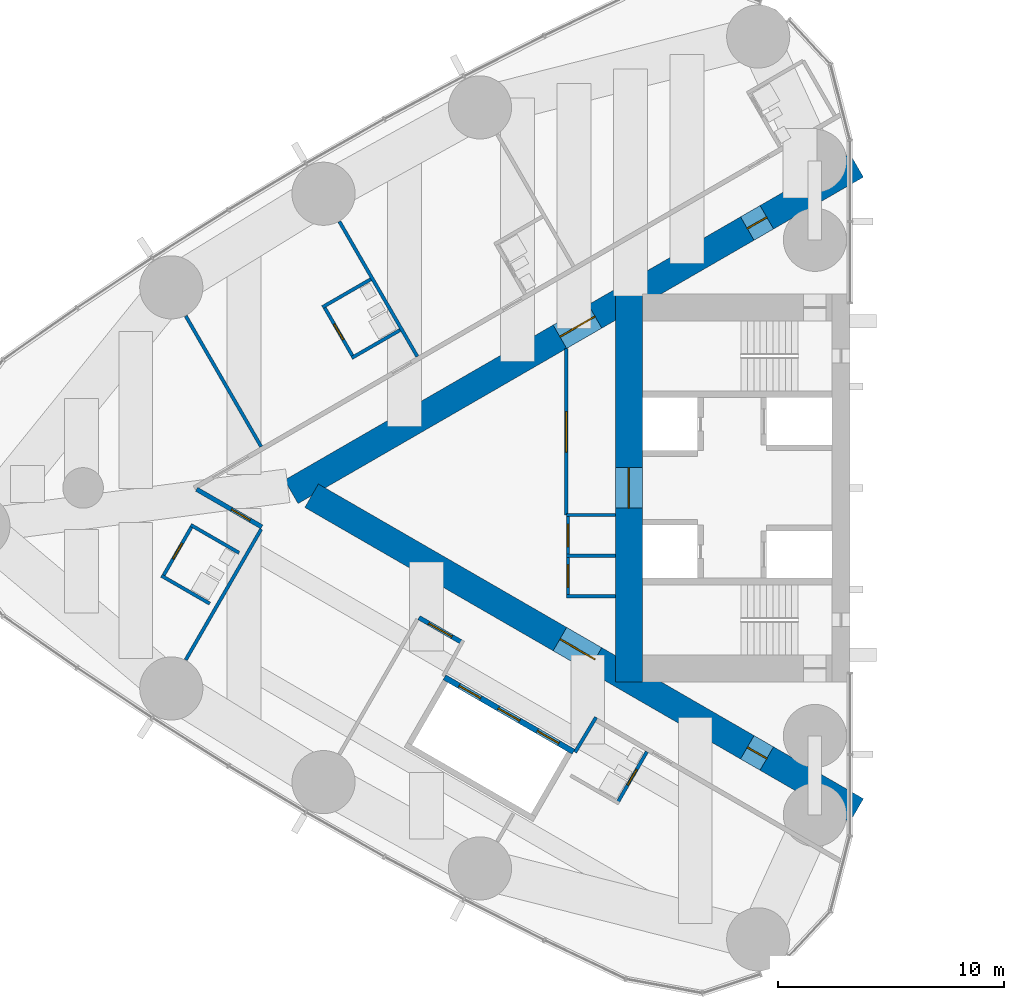
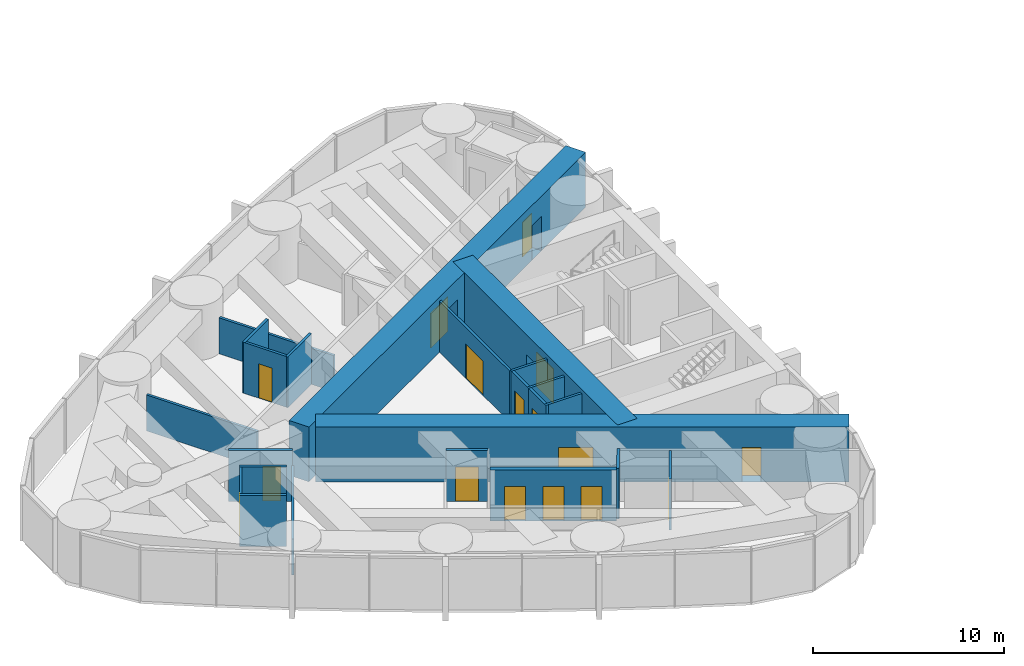
# One storey, part 12 of 19: 23 walls, 16 doors, 16 openings.
"""IFC4 building model written with IfcOpenShell, lengths in metres."""

import ifcopenshell
import ifcopenshell.guid

model = None  # the IFC model being written
_history = None  # IfcOwnerHistory: only IFC2X3 demands one
_inside = {}  # id of a spatial element -> (the spatial element, [elements in it])
_under = {}  # id of a project, library or spatial element -> (it, [spatial elements below it])
_declared = {}  # id of a project -> (the project, [libraries it declares])
_typed = {}  # id of a type object -> (the type object, [elements of that type])
_made_of = {}  # id of a material, layer set ... -> (it, [elements and type objects made of it])


def new_model(schema):
    """Start an empty IFC model of exactly this schema.

    Asked for "IFC4X3", IfcOpenShell would pick the latest addendum, in which some entities
    have other attributes; the version numbers below select the first issue.
    IFC2X3 requires an IfcOwnerHistory on every rooted entity: one is made here for all.
    """
    global model, _history
    if schema == "IFC4X3":
        model = ifcopenshell.file(schema_version=(4, 3, 0, 0))
    else:
        model = ifcopenshell.file(schema=schema)
    _inside.clear()
    _under.clear()
    _declared.clear()
    _typed.clear()
    _made_of.clear()
    _history = None
    if model.schema == "IFC2X3":
        org = make("IfcOrganization", Name="unknown")
        user = make(
            "IfcPersonAndOrganization",
            ThePerson=make("IfcPerson", FamilyName="unknown"),
            TheOrganization=org,
        )
        app = make(
            "IfcApplication",
            ApplicationDeveloper=org,
            Version="unknown",
            ApplicationFullName="unknown",
            ApplicationIdentifier="unknown",
        )
        _history = make(
            "IfcOwnerHistory",
            OwningUser=user,
            OwningApplication=app,
            ChangeAction="ADDED",
            CreationDate=0,
        )
    return model


def make(cls, **values):
    """One entity of the class cls with the attributes given. An attribute that is None is left unset."""
    return model.create_entity(
        cls, **{name: value for name, value in values.items() if value is not None}
    )


def rooted(cls, **values):
    """An entity with a GlobalId (a new one), such as an element, a storey or a relation."""
    return make(cls, GlobalId=ifcopenshell.guid.new(), OwnerHistory=_history, **values)


def si_unit(unit_type, name, prefix=None):
    """IfcSIUnit, for example si_unit("LENGTHUNIT", "METRE", prefix="MILLI")."""
    return make("IfcSIUnit", UnitType=unit_type, Prefix=prefix, Name=name)


def assignment(units):
    """IfcUnitAssignment: the units of a project."""
    return None if units is None else make("IfcUnitAssignment", Units=units)


def point(xyz):
    """IfcCartesianPoint."""
    return None if xyz is None else make("IfcCartesianPoint", Coordinates=xyz)


def direction(xyz):
    """IfcDirection."""
    return None if xyz is None else make("IfcDirection", DirectionRatios=xyz)


def frame(location, z_axis=None, x_axis=None):
    """IfcAxis2Placement3D, a coordinate frame: its origin and axes. An axis left out is left unset."""
    return make(
        "IfcAxis2Placement3D",
        Location=point(location),
        Axis=direction(z_axis),
        RefDirection=direction(x_axis),
    )


def frame_2d(location, x_axis=None):
    """IfcAxis2Placement2D, a coordinate frame in the plane: its origin and x axis."""
    return make(
        "IfcAxis2Placement2D", Location=point(location), RefDirection=direction(x_axis)
    )


def origin():
    """The frame at (0, 0, 0) with its axes left unset."""
    return frame((0.0, 0.0, 0.0))


def place(relative_to, where):
    """IfcLocalPlacement: puts the frame where relative to a parent placement (None: the world)."""
    return make(
        "IfcLocalPlacement", PlacementRelTo=relative_to, RelativePlacement=where
    )


def context(
    kind, dimensions, precision=None, world=None, true_north=None, identifier=None
):
    """IfcGeometricRepresentationContext, for example the 3D "Model" context."""
    return make(
        "IfcGeometricRepresentationContext",
        ContextIdentifier=identifier,
        ContextType=kind,
        CoordinateSpaceDimension=dimensions,
        Precision=precision,
        WorldCoordinateSystem=world,
        TrueNorth=true_north,
    )


def subcontext(parent, identifier, kind, view, scale=None):
    """IfcGeometricRepresentationSubContext, for example "Body" below "Model"."""
    return make(
        "IfcGeometricRepresentationSubContext",
        ContextIdentifier=identifier,
        ContextType=kind,
        ParentContext=parent,
        TargetScale=scale,
        TargetView=view,
    )


def project(units=None, contexts=None):
    """IfcProject with its units and contexts."""
    return rooted(
        "IfcProject",
        Name="project",
        RepresentationContexts=contexts,
        UnitsInContext=assignment(units),
    )


def spatial(cls, under=None, at=None, **own):
    """A site, building, storey or space (cls), placed at a placement, below another one or the project."""
    s = rooted(cls, ObjectPlacement=at, **own)
    if under is not None:
        _under.setdefault(under.id(), (under, []))[1].append(s)
    return s


def profile(cls, at=None, kind="AREA", **sizes):
    """A parametric profile (cls). Its sizes go by their IFC names, for example OverallWidth=200.0."""
    return make(cls, ProfileType=kind, Position=at, **sizes)


def rectangle(**sizes):
    """IfcRectangleProfileDef."""
    return profile("IfcRectangleProfileDef", **sizes)


def extrude(swept, where, along, depth):
    """IfcExtrudedAreaSolid: the profile swept, set in the frame where, extruded along a direction by depth."""
    return make(
        "IfcExtrudedAreaSolid",
        SweptArea=swept,
        Position=where,
        ExtrudedDirection=direction(along),
        Depth=depth,
    )


def shape(context_of_items, identifier, shape_type, items):
    """IfcShapeRepresentation: the items that make up one representation, for example the "Body"."""
    return make(
        "IfcShapeRepresentation",
        ContextOfItems=context_of_items,
        RepresentationIdentifier=identifier,
        RepresentationType=shape_type,
        Items=items,
    )


def material(Name=None, Category=None):
    """IfcMaterial."""
    return make("IfcMaterial", Name=Name, Category=Category)


def layer(
    of_material, thickness, ventilated=None, Name=None, Category=None, Priority=None
):
    """IfcMaterialLayer: one layer of a wall or slab, of a material (None: an air gap)."""
    return make(
        "IfcMaterialLayer",
        Material=of_material,
        LayerThickness=thickness,
        IsVentilated=ventilated,
        Name=Name,
        Category=Category,
        Priority=Priority,
    )


def layer_set(layers, Name=None):
    """IfcMaterialLayerSet."""
    return make("IfcMaterialLayerSet", MaterialLayers=layers, LayerSetName=Name)


def made_of(thing, what):
    """Note that an element or type object is made of a material, layer set ...; save() writes the relation."""
    if what is not None:
        _made_of.setdefault(what.id(), (what, []))[1].append(thing)
    return thing


def type_object(cls, material=None, **own):
    """A type object (cls), such as IfcWallType, which elements share."""
    return made_of(rooted(cls, **own), material)


def element(
    cls,
    number,
    at=None,
    inside=None,
    cuts=None,
    type_object=None,
    material=None,
    context=None,
    identifier="Body",
    shape_type=None,
    held_by="IfcProductDefinitionShape",
    body=None,
    shapes=None,
    **own,
):
    """One element of the class cls, such as IfcWall. Its Tag is "e" and its number.

    at: its placement. inside: the storey or other place that contains it. cuts: it is an
    opening in that element (IfcRelVoidsElement). A single representation is given by context,
    identifier, shape_type and body (its items); several are given by shapes. held_by: the class
    of the entity that holds the representations. save() writes the other relations.
    """
    e = rooted(cls, Tag="e%d" % number, ObjectPlacement=at, **own)
    if body is not None:
        shapes = [shape(context, identifier, shape_type, body)]
    if shapes is not None:
        e.Representation = make(held_by, Representations=shapes)
    if inside is not None:
        _inside.setdefault(inside.id(), (inside, []))[1].append(e)
    if cuts is not None:
        rooted(
            "IfcRelVoidsElement", RelatingBuildingElement=cuts, RelatedOpeningElement=e
        )
    if type_object is not None:
        _typed.setdefault(type_object.id(), (type_object, []))[1].append(e)
    return made_of(e, material)


def fill(opening, filler):
    """IfcRelFillsElement: the door or window that sits in an opening."""
    return rooted(
        "IfcRelFillsElement",
        RelatingOpeningElement=opening,
        RelatedBuildingElement=filler,
    )


def aggregate(whole, parts):
    """IfcRelAggregates: a whole, such as a stair, and the parts it consists of."""
    return rooted("IfcRelAggregates", RelatingObject=whole, RelatedObjects=parts)


def save(model, path):
    """Write the relations noted so far, then the file.

    IfcRelAggregates (storeys below a building ...), IfcRelContainedInSpatialStructure (elements
    in a storey), IfcRelDefinesByType, IfcRelAssociatesMaterial and IfcRelDeclares: one each for
    every whole, place, type object, material and project.
    """
    for whole, parts in _under.values():
        aggregate(whole, parts)
    for where, things in _inside.values():
        rooted(
            "IfcRelContainedInSpatialStructure",
            RelatedElements=things,
            RelatingStructure=where,
        )
    for kind, things in _typed.values():
        rooted("IfcRelDefinesByType", RelatedObjects=things, RelatingType=kind)
    for what, things in _made_of.values():
        rooted("IfcRelAssociatesMaterial", RelatedObjects=things, RelatingMaterial=what)
    for by, libraries in _declared.values():
        rooted("IfcRelDeclares", RelatingContext=by, RelatedDefinitions=libraries)
    model.write(path)


model = new_model("IFC4")

# Units and contexts
model_context = context("Model", 3, precision=1e-05, world=origin(), true_north=direction((0.0, 1.0)))
body_context = subcontext(model_context, "Body", "Model", "MODEL_VIEW")
ifc_project = project(units=[si_unit("LENGTHUNIT", "METRE"), si_unit("AREAUNIT", "SQUARE_METRE"), si_unit("VOLUMEUNIT", "CUBIC_METRE"), si_unit("PLANEANGLEUNIT", "RADIAN"), si_unit("MASSUNIT", "GRAM", prefix="KILO")], contexts=[model_context])

# Site, building, storey
site_placement = place(None, origin())
site = spatial("IfcSite", under=ifc_project, at=site_placement, CompositionType="ELEMENT")
building_placement = place(site_placement, origin())
building = spatial("IfcBuilding", under=site, at=building_placement, Name="Lancet Gate Hotel", CompositionType="ELEMENT")
storey_placement = place(building_placement, frame((0.0, 0.0, 194.800048828125)))
storey = spatial("IfcBuildingStorey", under=building, at=storey_placement, Name="L52", CompositionType="ELEMENT", Elevation=194.800048828125)

# Wall
ifc_material_1 = material(Name="Moisture resistant board partition")
ifc_layer_1 = layer(ifc_material_1, 0.14990234375)
ifc_layer_set_1 = layer_set([ifc_layer_1], Name="Bathroom wall 150")
wall_type_1 = type_object("IfcWallType", Name="Bathroom wall 150", PredefinedType="PARTITIONING", material=ifc_layer_set_1)
wall_1_placement = place(storey_placement, frame((-48.743896484375, 9.251708984375, 0.0), z_axis=(0.0, 0.0, 1.0), x_axis=(-0.866006523861, -0.500032699561, 0.0)))
element("IfcWall", 1, at=wall_1_placement, inside=storey, type_object=wall_type_1, Name="T1 bathroom wall 150 L52", PredefinedType="PARTITIONING", context=body_context, shape_type="SweptSolid", body=[
    extrude(rectangle(XDim=2.474853515625, YDim=0.14990234375, at=frame_2d((1.2373046875, 0.0))), origin(), (0.0, 0.0, 1.0), 3.25),
])

# Wall, opening, door
wall_2_placement = place(storey_placement, frame((-49.522216796875, 5.800048828125, 0.0), z_axis=(0.0, 0.0, 1.0), x_axis=(-0.500006934395, 0.866021400173, 0.0)))
wall_2 = element("IfcWall", 2, at=wall_2_placement, inside=storey, type_object=wall_type_1, Name="T1 bathroom wall 150 L52", PredefinedType="PARTITIONING", context=body_context, shape_type="SweptSolid", body=[
    extrude(rectangle(XDim=2.60009765625, YDim=0.14990234375, at=frame_2d((1.300048828125, 0.0))), origin(), (0.0, 0.0, 1.0), 3.25),
])
opening_1_placement = place(wall_2_placement, frame((0.89990234375, 0.0, 0.0)))
opening_1 = element("IfcOpeningElement", 3, at=opening_1_placement, cuts=wall_2, Name="Opening 5203-B", PredefinedType="OPENING", context=body_context, shape_type="SweptSolid", body=[
    extrude(rectangle(XDim=0.800048828125, YDim=2.199951171875, at=frame_2d((0.39990234375, 1.10009765625))), frame((0.0, 0.0849609375, 0.0), z_axis=(0.0, -1.0, 0.0), x_axis=(1.0, 0.0, 0.0)), (0.0, 0.0, 1.0), 0.169921875),
])
ifc_material_2 = material(Name="Timber door set", Category="wood")
door_type_1 = type_object("IfcDoorType", Name="Bathroom door 800", OperationType="SINGLE_SWING_RIGHT", PredefinedType="DOOR", material=ifc_material_2)
door_1_placement = place(opening_1_placement, origin())
door_1 = element("IfcDoor", 4, at=door_1_placement, inside=storey, type_object=door_type_1, Name="5203-B", OperationType="SINGLE_SWING_RIGHT", OverallHeight=2.199951171875, OverallWidth=0.800048828125, PredefinedType="DOOR", context=body_context, shape_type="SweptSolid", body=[
    extrude(rectangle(XDim=0.800048828125, YDim=2.199951171875, at=frame_2d((0.39990234375, 1.10009765625))), frame((0.0, 0.02490234375, 0.0), z_axis=(0.0, -1.0, 0.0), x_axis=(1.0, 0.0, 0.0)), (0.0, 0.0, 1.0), 0.050048828125),
])
fill(opening_1, door_1)

# Walls
for number, where, z_axis, x_axis, name in (
    (5, (-47.44384765625, 7.0, 0.0), (0.0, 0.0, 1.0), (-0.866006523861, -0.500032699561, 0.0), "T1 bathroom wall 150 L52"),
    (6, (-55.883544921875, -5.129638671875, 0.0), (0.0, 0.0, 1.0), (-0.866006523861, 0.500032699561, 0.0), "T1 bathroom wall 150 L52"),
):
    element("IfcWall", number, at=place(storey_placement, frame(where, z_axis=z_axis, x_axis=x_axis)), inside=storey, type_object=wall_type_1, Name=name, PredefinedType="PARTITIONING", context=body_context, shape_type="SweptSolid", body=[
        extrude(rectangle(XDim=2.474853515625, YDim=0.14990234375, at=frame_2d((1.2373046875, 0.0))), origin(), (0.0, 0.0, 1.0), 3.25),
    ])

# Wall, opening, door
wall_3_placement = place(storey_placement, frame((-56.661865234375, -1.677978515625, 0.0), z_axis=(0.0, 0.0, 1.0), x_axis=(-0.500006934395, -0.866021400173, 0.0)))
wall_3 = element("IfcWall", 7, at=wall_3_placement, inside=storey, type_object=wall_type_1, Name="T1 bathroom wall 150 L52", PredefinedType="PARTITIONING", context=body_context, shape_type="SweptSolid", body=[
    extrude(rectangle(XDim=2.60009765625, YDim=0.14990234375, at=frame_2d((1.300048828125, 0.0))), origin(), (0.0, 0.0, 1.0), 3.25),
])
opening_2_placement = place(wall_3_placement, frame((0.89990234375, 0.0, 0.0)))
opening_2 = element("IfcOpeningElement", 8, at=opening_2_placement, cuts=wall_3, Name="Opening 5205-B", PredefinedType="OPENING", context=body_context, shape_type="SweptSolid", body=[
    extrude(rectangle(XDim=0.800048828125, YDim=2.199951171875, at=frame_2d((0.39990234375, 1.10009765625))), frame((0.0, 0.0849609375, 0.0), z_axis=(0.0, -1.0, 0.0), x_axis=(1.0, 0.0, 0.0)), (0.0, 0.0, 1.0), 0.169921875),
])
door_2_placement = place(opening_2_placement, origin())
door_2 = element("IfcDoor", 9, at=door_2_placement, inside=storey, type_object=door_type_1, Name="5205-B", OperationType="SINGLE_SWING_RIGHT", OverallHeight=2.199951171875, OverallWidth=0.800048828125, PredefinedType="DOOR", context=body_context, shape_type="SweptSolid", body=[
    extrude(rectangle(XDim=0.800048828125, YDim=2.199951171875, at=frame_2d((0.39990234375, 1.10009765625))), frame((0.0, 0.02490234375, 0.0), z_axis=(0.0, -1.0, 0.0), x_axis=(1.0, 0.0, 0.0)), (0.0, 0.0, 1.0), 0.050048828125),
])
fill(opening_2, door_2)

# Wall
wall_4_placement = place(storey_placement, frame((-54.58349609375, -2.8779296875, 0.0), z_axis=(0.0, 0.0, 1.0), x_axis=(-0.866006523861, 0.500032699561, 0.0)))
element("IfcWall", 10, at=wall_4_placement, inside=storey, type_object=wall_type_1, Name="T1 bathroom wall 150 L52", PredefinedType="PARTITIONING", context=body_context, shape_type="SweptSolid", body=[
    extrude(rectangle(XDim=2.474853515625, YDim=0.14990234375, at=frame_2d((1.2373046875, 0.0))), origin(), (0.0, 0.0, 1.0), 3.25),
])

# Wall, opening, door
wall_5_placement = place(storey_placement, frame((-36.5029296875, -11.7001953125, 0.0), z_axis=(0.0, 0.0, 1.0), x_axis=(-0.500006934395, -0.866021400173, 0.0)))
wall_5 = element("IfcWall", 11, at=wall_5_placement, inside=storey, type_object=wall_type_1, Name="T1 bathroom wall 150 L52", PredefinedType="PARTITIONING", context=body_context, shape_type="SweptSolid", body=[
    extrude(rectangle(XDim=2.60009765625, YDim=0.14990234375, at=frame_2d((1.300048828125, 0.0))), origin(), (0.0, 0.0, 1.0), 3.25),
])
opening_3_placement = place(wall_5_placement, frame((0.89990234375, 0.0, 0.0)))
opening_3 = element("IfcOpeningElement", 12, at=opening_3_placement, cuts=wall_5, Name="Opening 5208-B", PredefinedType="OPENING", context=body_context, shape_type="SweptSolid", body=[
    extrude(rectangle(XDim=0.800048828125, YDim=2.199951171875, at=frame_2d((0.39990234375, 1.10009765625))), frame((0.0, 0.0849609375, 0.0), z_axis=(0.0, -1.0, 0.0), x_axis=(1.0, 0.0, 0.0)), (0.0, 0.0, 1.0), 0.169921875),
])
door_3_placement = place(opening_3_placement, origin())
door_3 = element("IfcDoor", 13, at=door_3_placement, inside=storey, type_object=door_type_1, Name="5208-B", OperationType="SINGLE_SWING_RIGHT", OverallHeight=2.199951171875, OverallWidth=0.800048828125, PredefinedType="DOOR", context=body_context, shape_type="SweptSolid", body=[
    extrude(rectangle(XDim=0.800048828125, YDim=2.199951171875, at=frame_2d((0.39990234375, 1.10009765625))), frame((0.0, 0.02490234375, 0.0), z_axis=(0.0, -1.0, 0.0), x_axis=(1.0, 0.0, 0.0)), (0.0, 0.0, 1.0), 0.050048828125),
])
fill(opening_3, door_3)

# Wall, openings, doors
ifc_material_3 = material(Name="Concrete C70/85", Category="concrete")
ifc_layer_2 = layer(ifc_material_3, 1.199951171875)
ifc_layer_set_2 = layer_set([ifc_layer_2], Name="Buttress wall 1200")
wall_type_2 = type_object("IfcWallType", Name="Buttress wall 1200", PredefinedType="SHEAR", material=ifc_layer_set_2)
wall_6_placement = place(storey_placement, frame((-27.199951171875, 14.300048828125, 0.0), z_axis=(0.0, 0.0, 1.0), x_axis=(-0.866026593062, -0.499997940104, 0.0)))
wall_6 = element("IfcWall", 14, at=wall_6_placement, inside=storey, type_object=wall_type_2, Name="T1 buttress wall S L52", PredefinedType="SHEAR", context=body_context, shape_type="SweptSolid", body=[
    extrude(rectangle(XDim=28.9462890625, YDim=1.199951171875, at=frame_2d((14.47314453125, 0.0))), origin(), (0.0, 0.0, 1.0), 3.5),
])
opening_4_placement = place(wall_6_placement, frame((4.60009765625, 0.0, 0.0)))
opening_4 = element("IfcOpeningElement", 15, at=opening_4_placement, cuts=wall_6, Name="Opening T1-L52-LS", PredefinedType="OPENING", context=body_context, shape_type="SweptSolid", body=[
    extrude(rectangle(XDim=1.0, YDim=2.199951171875, at=frame_2d((0.5, 1.10009765625))), frame((0.0, 0.60986328125, 0.0), z_axis=(0.0, -1.0, 0.0), x_axis=(1.0, 0.0, 0.0)), (0.0, 0.0, 1.0), 1.219970703125),
])
opening_5_placement = place(wall_6_placement, frame((13.39453125, 0.0, 0.0)))
opening_5 = element("IfcOpeningElement", 16, at=opening_5_placement, cuts=wall_6, Name="Opening T1-L52-LHS", PredefinedType="OPENING", context=body_context, shape_type="SweptSolid", body=[
    extrude(rectangle(XDim=1.800048828125, YDim=2.199951171875, at=frame_2d((0.89990234375, 1.10009765625))), frame((0.0, 0.60986328125, 0.0), z_axis=(0.0, -1.0, 0.0), x_axis=(1.0, 0.0, 0.0)), (0.0, 0.0, 1.0), 1.219970703125),
])
ifc_material_4 = material(Name="Timber door set", Category="wood")
door_type_2 = type_object("IfcDoorType", Name="Lobby double door 1800", OperationType="DOUBLE_DOOR_SINGLE_SWING", PredefinedType="DOOR", material=ifc_material_4)
door_4_placement = place(opening_5_placement, origin())
door_4 = element("IfcDoor", 17, at=door_4_placement, inside=storey, type_object=door_type_2, Name="T1-L52-LHS", OperationType="DOUBLE_DOOR_SINGLE_SWING", OverallHeight=2.199951171875, OverallWidth=1.800048828125, PredefinedType="DOOR", context=body_context, shape_type="SweptSolid", body=[
    extrude(rectangle(XDim=1.800048828125, YDim=2.199951171875, at=frame_2d((0.89990234375, 1.10009765625))), frame((0.0, 0.02490234375, 0.0), z_axis=(0.0, -1.0, 0.0), x_axis=(1.0, 0.0, 0.0)), (0.0, 0.0, 1.0), 0.050048828125),
])
fill(opening_5, door_4)
ifc_material_5 = material(Name="Timber door set", Category="wood")
door_type_3 = type_object("IfcDoorType", Name="Stair lobby door 1000", OperationType="SINGLE_SWING_LEFT", PredefinedType="DOOR", material=ifc_material_5)
door_5_placement = place(opening_4_placement, origin())
door_5 = element("IfcDoor", 18, at=door_5_placement, inside=storey, type_object=door_type_3, Name="T1-L52-LS", OperationType="SINGLE_SWING_LEFT", OverallHeight=2.199951171875, OverallWidth=1.0, PredefinedType="DOOR", context=body_context, shape_type="SweptSolid", body=[
    extrude(rectangle(XDim=1.0, YDim=2.199951171875, at=frame_2d((0.5, 1.10009765625))), frame((0.0, 0.02490234375, 0.0), z_axis=(0.0, -1.0, 0.0), x_axis=(1.0, 0.0, 0.0)), (0.0, 0.0, 1.0), 0.050048828125),
])
fill(opening_4, door_5)

wall_7_placement = place(storey_placement, frame((-27.199951171875, -14.300048828125, 0.0), z_axis=(0.0, 0.0, 1.0), x_axis=(-0.866024021859, 0.500002393557, 0.0)))
wall_7 = element("IfcWall", 19, at=wall_7_placement, inside=storey, type_object=wall_type_2, Name="T1 buttress wall N L52", PredefinedType="SHEAR", context=body_context, shape_type="SweptSolid", body=[
    extrude(rectangle(XDim=27.906982421875, YDim=1.199951171875, at=frame_2d((13.95361328125, 0.0))), origin(), (0.0, 0.0, 1.0), 3.5),
])
opening_6_placement = place(wall_7_placement, frame((4.60009765625, 0.0, 0.0)))
opening_6 = element("IfcOpeningElement", 20, at=opening_6_placement, cuts=wall_7, Name="Opening T1-L52-LN", PredefinedType="OPENING", context=body_context, shape_type="SweptSolid", body=[
    extrude(rectangle(XDim=1.0, YDim=2.199951171875, at=frame_2d((0.5, 1.10009765625))), frame((0.0, 0.60986328125, 0.0), z_axis=(0.0, -1.0, 0.0), x_axis=(1.0, 0.0, 0.0)), (0.0, 0.0, 1.0), 1.219970703125),
])
opening_7_placement = place(wall_7_placement, frame((13.39453125, 0.0, 0.0)))
opening_7 = element("IfcOpeningElement", 21, at=opening_7_placement, cuts=wall_7, Name="Opening T1-L52-LHN", PredefinedType="OPENING", context=body_context, shape_type="SweptSolid", body=[
    extrude(rectangle(XDim=1.800048828125, YDim=2.199951171875, at=frame_2d((0.89990234375, 1.10009765625))), frame((0.0, 0.60986328125, 0.0), z_axis=(0.0, -1.0, 0.0), x_axis=(1.0, 0.0, 0.0)), (0.0, 0.0, 1.0), 1.219970703125),
])
door_6_placement = place(opening_7_placement, origin())
door_6 = element("IfcDoor", 22, at=door_6_placement, inside=storey, type_object=door_type_2, Name="T1-L52-LHN", OperationType="DOUBLE_DOOR_SINGLE_SWING", OverallHeight=2.199951171875, OverallWidth=1.800048828125, PredefinedType="DOOR", context=body_context, shape_type="SweptSolid", body=[
    extrude(rectangle(XDim=1.800048828125, YDim=2.199951171875, at=frame_2d((0.89990234375, 1.10009765625))), frame((0.0, 0.02490234375, 0.0), z_axis=(0.0, -1.0, 0.0), x_axis=(1.0, 0.0, 0.0)), (0.0, 0.0, 1.0), 0.050048828125),
])
fill(opening_7, door_6)
door_7_placement = place(opening_6_placement, origin())
door_7 = element("IfcDoor", 23, at=door_7_placement, inside=storey, type_object=door_type_3, Name="T1-L52-LN", OperationType="SINGLE_SWING_LEFT", OverallHeight=2.199951171875, OverallWidth=1.0, PredefinedType="DOOR", context=body_context, shape_type="SweptSolid", body=[
    extrude(rectangle(XDim=1.0, YDim=2.199951171875, at=frame_2d((0.5, 1.10009765625))), frame((0.0, 0.02490234375, 0.0), z_axis=(0.0, -1.0, 0.0), x_axis=(1.0, 0.0, 0.0)), (0.0, 0.0, 1.0), 0.050048828125),
])
fill(opening_6, door_7)

# Wall, opening, door
ifc_material_6 = material(Name="Concrete C70/85", Category="concrete")
ifc_layer_3 = layer(ifc_material_6, 1.199951171875)
ifc_layer_set_3 = layer_set([ifc_layer_3], Name="Core wall 1200")
wall_type_3 = type_object("IfcWallType", Name="Core wall 1200", PredefinedType="SHEAR", material=ifc_layer_set_3)
wall_8_placement = place(storey_placement, frame((-37.300048828125, 8.60009765625, 0.0), z_axis=(0.0, 0.0, 1.0), x_axis=(0.0, -1.0, 0.0)))
wall_8 = element("IfcWall", 24, at=wall_8_placement, inside=storey, type_object=wall_type_3, Name="T1 core wall back L52", PredefinedType="SHEAR", context=body_context, shape_type="SweptSolid", body=[
    extrude(rectangle(XDim=17.2001953125, YDim=1.199951171875, at=frame_2d((8.60009765625, 0.0))), origin(), (0.0, 0.0, 1.0), 3.5),
])
opening_8_placement = place(wall_8_placement, frame((7.699951171875, 0.0, 0.0)))
opening_8 = element("IfcOpeningElement", 25, at=opening_8_placement, cuts=wall_8, Name="Opening T1-L52-LL", PredefinedType="OPENING", context=body_context, shape_type="SweptSolid", body=[
    extrude(rectangle(XDim=1.800048828125, YDim=2.199951171875, at=frame_2d((0.89990234375, 1.10009765625))), frame((0.0, 0.60986328125, 0.0), z_axis=(0.0, -1.0, 0.0), x_axis=(1.0, 0.0, 0.0)), (0.0, 0.0, 1.0), 1.219970703125),
])
door_8_placement = place(opening_8_placement, origin())
door_8 = element("IfcDoor", 26, at=door_8_placement, inside=storey, type_object=door_type_2, Name="T1-L52-LL", OperationType="DOUBLE_DOOR_SINGLE_SWING", OverallHeight=2.199951171875, OverallWidth=1.800048828125, PredefinedType="DOOR", context=body_context, shape_type="SweptSolid", body=[
    extrude(rectangle(XDim=1.800048828125, YDim=2.199951171875, at=frame_2d((0.89990234375, 1.10009765625))), frame((0.0, 0.02490234375, 0.0), z_axis=(0.0, -1.0, 0.0), x_axis=(1.0, 0.0, 0.0)), (0.0, 0.0, 1.0), 0.050048828125),
])
fill(opening_8, door_8)

ifc_material_7 = material(Name="Gypsum board partition")
ifc_layer_4 = layer(ifc_material_7, 0.199951171875)
ifc_layer_set_4 = layer_set([ifc_layer_4], Name="Corridor wall 200")
wall_type_4 = type_object("IfcWallType", Name="Corridor wall 200", PredefinedType="PARTITIONING", material=ifc_layer_set_4)
wall_9_placement = place(storey_placement, frame((-44.715087890625, -6.843505859375, 0.0), z_axis=(0.0, 0.0, 1.0), x_axis=(-0.865999496279, 0.500044870432, 0.0)))
wall_9 = element("IfcWall", 27, at=wall_9_placement, inside=storey, type_object=wall_type_4, Name="T1 corridor wall 200 L52", PredefinedType="PARTITIONING", context=body_context, shape_type="SweptSolid", body=[
    extrude(rectangle(XDim=2.184814453125, YDim=0.199951171875, at=frame_2d((1.09228515625, 0.0))), origin(), (0.0, 0.0, 1.0), 3.25),
])
opening_9_placement = place(wall_9_placement, frame((0.5, 0.0, 0.0)))
opening_9 = element("IfcOpeningElement", 28, at=opening_9_placement, cuts=wall_9, Name="Opening T1-L52-LO1", PredefinedType="OPENING", context=body_context, shape_type="SweptSolid", body=[
    extrude(rectangle(XDim=1.18505859375, YDim=2.199951171875, at=frame_2d((0.592529296875, 1.10009765625))), frame((0.0, 0.10986328125, 0.0), z_axis=(0.0, -1.0, 0.0), x_axis=(1.0, 0.0, 0.0)), (0.0, 0.0, 1.0), 0.219970703125),
])
ifc_material_8 = material(Name="Timber door set", Category="wood")
door_type_4 = type_object("IfcDoorType", Name="Guest room entry door 950", OperationType="SINGLE_SWING_LEFT", PredefinedType="DOOR", material=ifc_material_8)
door_9_placement = place(opening_9_placement, origin())
door_9 = element("IfcDoor", 29, at=door_9_placement, inside=storey, type_object=door_type_4, Name="T1-L52-LO1", OperationType="SINGLE_SWING_LEFT", OverallHeight=2.199951171875, OverallWidth=1.18505859375, PredefinedType="DOOR", context=body_context, shape_type="SweptSolid", body=[
    extrude(rectangle(XDim=1.18505859375, YDim=2.199951171875, at=frame_2d((0.592529296875, 1.10009765625))), frame((0.0, 0.02490234375, 0.0), z_axis=(0.0, -1.0, 0.0), x_axis=(1.0, 0.0, 0.0)), (0.0, 0.0, 1.0), 0.050048828125),
])
fill(opening_9, door_9)

wall_10_placement = place(storey_placement, frame((-53.57373046875, -1.72900390625, 0.0), z_axis=(0.0, 0.0, 1.0), x_axis=(-0.866019930389, 0.500009480079, 0.0)))
wall_10 = element("IfcWall", 30, at=wall_10_placement, inside=storey, type_object=wall_type_4, Name="T1 corridor wall 200 L52", PredefinedType="PARTITIONING", context=body_context, shape_type="SweptSolid", body=[
    extrude(rectangle(XDim=3.337890625, YDim=0.199951171875, at=frame_2d((1.6689453125, 0.0))), origin(), (0.0, 0.0, 1.0), 3.25),
])
opening_10_placement = place(wall_10_placement, frame((0.60009765625, 0.0, 0.0)))
opening_10 = element("IfcOpeningElement", 31, at=opening_10_placement, cuts=wall_10, Name="Opening 5205-E", PredefinedType="OPENING", context=body_context, shape_type="SweptSolid", body=[
    extrude(rectangle(XDim=0.949951171875, YDim=2.199951171875, at=frame_2d((0.47509765625, 1.10009765625))), frame((0.0, 0.10986328125, 0.0), z_axis=(0.0, -1.0, 0.0), x_axis=(1.0, 0.0, 0.0)), (0.0, 0.0, 1.0), 0.219970703125),
])
door_10_placement = place(opening_10_placement, origin())
door_10 = element("IfcDoor", 32, at=door_10_placement, inside=storey, type_object=door_type_4, Name="5205-E", OperationType="SINGLE_SWING_LEFT", OverallHeight=2.199951171875, OverallWidth=0.949951171875, PredefinedType="DOOR", context=body_context, shape_type="SweptSolid", body=[
    extrude(rectangle(XDim=0.949951171875, YDim=2.199951171875, at=frame_2d((0.47509765625, 1.10009765625))), frame((0.0, 0.02490234375, 0.0), z_axis=(0.0, -1.0, 0.0), x_axis=(1.0, 0.0, 0.0)), (0.0, 0.0, 1.0), 0.050048828125),
])
fill(opening_10, door_10)

# Wall, openings, doors
ifc_material_9 = material(Name="Gypsum board partition")
ifc_layer_5 = layer(ifc_material_9, 0.25)
ifc_layer_set_5 = layer_set([ifc_layer_5], Name="Lift shaft partition 250")
wall_type_5 = type_object("IfcWallType", Name="Lift shaft partition 250", PredefinedType="PARTITIONING", material=ifc_layer_set_5)
wall_11_placement = place(storey_placement, frame((-39.757568359375, -11.697265625, 0.0), z_axis=(0.0, 0.0, 1.0), x_axis=(-0.866024194504, 0.500002094529, 0.0)))
wall_11 = element("IfcWall", 33, at=wall_11_placement, inside=storey, type_object=wall_type_5, Name="T1 lift shaft wall HL L52", PredefinedType="PARTITIONING", context=body_context, shape_type="SweptSolid", body=[
    extrude(rectangle(XDim=6.60009765625, YDim=0.25, at=frame_2d((3.300048828125, 0.0))), origin(), (0.0, 0.0, 1.0), 3.25),
])
opening_11_placement = place(wall_11_placement, frame((0.75, 0.0, 0.0)))
opening_11 = element("IfcOpeningElement", 34, at=opening_11_placement, cuts=wall_11, Name="Opening T1-HL1-L52", PredefinedType="OPENING", context=body_context, shape_type="SweptSolid", body=[
    extrude(rectangle(XDim=1.10009765625, YDim=2.199951171875, at=frame_2d((0.550048828125, 1.10009765625))), frame((0.0, 0.135009765625, 0.0), z_axis=(0.0, -1.0, 0.0), x_axis=(1.0, 0.0, 0.0)), (0.0, 0.0, 1.0), 0.27001953125),
])
opening_12_placement = place(wall_11_placement, frame((2.75, 0.0, 0.0)))
opening_12 = element("IfcOpeningElement", 35, at=opening_12_placement, cuts=wall_11, Name="Opening T1-HL2-L52", PredefinedType="OPENING", context=body_context, shape_type="SweptSolid", body=[
    extrude(rectangle(XDim=1.10009765625, YDim=2.199951171875, at=frame_2d((0.550048828125, 1.10009765625))), frame((0.0, 0.135009765625, 0.0), z_axis=(0.0, -1.0, 0.0), x_axis=(1.0, 0.0, 0.0)), (0.0, 0.0, 1.0), 0.27001953125),
])
opening_13_placement = place(wall_11_placement, frame((4.75, 0.0, 0.0)))
opening_13 = element("IfcOpeningElement", 36, at=opening_13_placement, cuts=wall_11, Name="Opening T1-HL3-L52", PredefinedType="OPENING", context=body_context, shape_type="SweptSolid", body=[
    extrude(rectangle(XDim=1.10009765625, YDim=2.199951171875, at=frame_2d((0.550048828125, 1.10009765625))), frame((0.0, 0.135009765625, 0.0), z_axis=(0.0, -1.0, 0.0), x_axis=(1.0, 0.0, 0.0)), (0.0, 0.0, 1.0), 0.27001953125),
])
ifc_material_10 = material(Name="Steel door set", Category="steel")
door_type_5 = type_object("IfcDoorType", Name="Lift landing door 1100", OperationType="DOUBLE_DOOR_SLIDING", PredefinedType="USERDEFINED", material=ifc_material_10)
door_11_placement = place(opening_11_placement, origin())
door_11 = element("IfcDoor", 37, at=door_11_placement, inside=storey, type_object=door_type_5, Name="T1-HL1-L52", ObjectType="LIFT LANDING DOOR", OperationType="DOUBLE_DOOR_SLIDING", OverallHeight=2.199951171875, OverallWidth=1.10009765625, PredefinedType="USERDEFINED", context=body_context, shape_type="SweptSolid", body=[
    extrude(rectangle(XDim=1.10009765625, YDim=2.199951171875, at=frame_2d((0.550048828125, 1.10009765625))), frame((0.0, 0.02490234375, 0.0), z_axis=(0.0, -1.0, 0.0), x_axis=(1.0, 0.0, 0.0)), (0.0, 0.0, 1.0), 0.050048828125),
])
fill(opening_11, door_11)
door_12_placement = place(opening_12_placement, origin())
door_12 = element("IfcDoor", 38, at=door_12_placement, inside=storey, type_object=door_type_5, Name="T1-HL2-L52", ObjectType="LIFT LANDING DOOR", OperationType="DOUBLE_DOOR_SLIDING", OverallHeight=2.199951171875, OverallWidth=1.10009765625, PredefinedType="USERDEFINED", context=body_context, shape_type="SweptSolid", body=[
    extrude(rectangle(XDim=1.10009765625, YDim=2.199951171875, at=frame_2d((0.550048828125, 1.10009765625))), frame((0.0, 0.02490234375, 0.0), z_axis=(0.0, -1.0, 0.0), x_axis=(1.0, 0.0, 0.0)), (0.0, 0.0, 1.0), 0.050048828125),
])
fill(opening_12, door_12)
door_13_placement = place(opening_13_placement, origin())
door_13 = element("IfcDoor", 39, at=door_13_placement, inside=storey, type_object=door_type_5, Name="T1-HL3-L52", ObjectType="LIFT LANDING DOOR", OperationType="DOUBLE_DOOR_SLIDING", OverallHeight=2.199951171875, OverallWidth=1.10009765625, PredefinedType="USERDEFINED", context=body_context, shape_type="SweptSolid", body=[
    extrude(rectangle(XDim=1.10009765625, YDim=2.199951171875, at=frame_2d((0.550048828125, 1.10009765625))), frame((0.0, 0.02490234375, 0.0), z_axis=(0.0, -1.0, 0.0), x_axis=(1.0, 0.0, 0.0)), (0.0, 0.0, 1.0), 0.050048828125),
])
fill(opening_13, door_13)

# Walls
ifc_material_11 = material(Name="Gypsum board partition")
ifc_layer_6 = layer(ifc_material_11, 0.14990234375)
ifc_layer_set_6 = layer_set([ifc_layer_6], Name="Party wall 150")
wall_type_6 = type_object("IfcWallType", Name="Party wall 150", PredefinedType="PARTITIONING", material=ifc_layer_set_6)
wall_12_placement = place(storey_placement, frame((-46.6787109375, 5.8251953125, 0.0), z_axis=(0.0, 0.0, 1.0), x_axis=(-0.500006839597, 0.866021454905, 0.0)))
element("IfcWall", 40, at=wall_12_placement, inside=storey, type_object=wall_type_6, Name="T1 party wall 150 L52", PredefinedType="PARTITIONING", context=body_context, shape_type="SweptSolid", body=[
    extrude(rectangle(XDim=6.9111328125, YDim=0.14990234375, at=frame_2d((3.45556640625, 0.0))), origin(), (0.0, 0.0, 1.0), 2.300048828125),
])
for number, where, z_axis, x_axis, name in (
    (41, (-53.60205078125, 1.828125, 0.0), (0.0, 0.0, 1.0), (-0.49999191814, 0.866030069798, 0.0), "T1 party wall 150 L52"),
    (42, (-53.60205078125, -1.828125, 0.0), (0.0, 0.0, 1.0), (-0.49999191814, -0.866030069798, 0.0), "T1 party wall 150 L52"),
):
    element("IfcWall", number, at=place(storey_placement, frame(where, z_axis=z_axis, x_axis=x_axis)), inside=storey, type_object=wall_type_6, Name=name, PredefinedType="PARTITIONING", context=body_context, shape_type="SweptSolid", body=[
        extrude(rectangle(XDim=6.6923828125, YDim=0.14990234375, at=frame_2d((3.34619140625, 0.0))), origin(), (0.0, 0.0, 1.0), 2.300048828125),
    ])
ifc_material_12 = material(Name="Gypsum board partition")
ifc_layer_7 = layer(ifc_material_12, 0.14990234375)
ifc_layer_set_7 = layer_set([ifc_layer_7], Name="Service room wall 150")
wall_type_7 = type_object("IfcWallType", Name="Service room wall 150", PredefinedType="PARTITIONING", material=ifc_layer_set_7)
wall_13_placement = place(storey_placement, frame((-39.6826171875, -11.717529296875, 0.0), z_axis=(0.0, 0.0, 1.0), x_axis=(0.514336634837, 0.857588377991, 0.0)))
element("IfcWall", 43, at=wall_13_placement, inside=storey, type_object=wall_type_7, Name="T1 service room wall 150 L52", PredefinedType="PARTITIONING", context=body_context, shape_type="SweptSolid", body=[
    extrude(rectangle(XDim=1.80517578125, YDim=0.14990234375, at=frame_2d((0.902587890625, 0.0))), origin(), (0.0, 0.0, 1.0), 3.25),
])
for number, where, z_axis, x_axis, name in (
    (44, (-37.89990234375, -1.199951171875, 0.0), (0.0, 0.0, 1.0), (-1.0, 0.0, 0.0), "T1 service room wall 150 L52"),
    (45, (-37.89990234375, -3.0, 0.0), (0.0, 0.0, 1.0), (-1.0, 0.0, 0.0), "T1 service room wall 150 L52"),
    (46, (-37.89990234375, -4.800048828125, 0.0), (0.0, 0.0, 1.0), (-1.0, 0.0, 0.0), "T1 service room wall 150 L52"),
):
    element("IfcWall", number, at=place(storey_placement, frame(where, z_axis=z_axis, x_axis=x_axis)), inside=storey, type_object=wall_type_7, Name=name, PredefinedType="PARTITIONING", context=body_context, shape_type="SweptSolid", body=[
        extrude(rectangle(XDim=2.175048828125, YDim=0.14990234375, at=frame_2d((1.08740234375, 0.0))), origin(), (0.0, 0.0, 1.0), 3.25),
    ])

# Wall, opening, door
wall_14_placement = place(storey_placement, frame((-40.0, -1.125, 0.0), z_axis=(0.0, 0.0, 1.0), x_axis=(0.0, -1.0, 0.0)))
wall_14 = element("IfcWall", 47, at=wall_14_placement, inside=storey, type_object=wall_type_7, Name="T1 service room wall 150 L52", PredefinedType="PARTITIONING", context=body_context, shape_type="SweptSolid", body=[
    extrude(rectangle(XDim=1.949951171875, YDim=0.14990234375, at=frame_2d((0.97509765625, 0.0))), origin(), (0.0, 0.0, 1.0), 3.25),
])
opening_14_placement = place(wall_14_placement, frame((0.47509765625, 0.0, 0.0)))
opening_14 = element("IfcOpeningElement", 48, at=opening_14_placement, cuts=wall_14, Name="Opening T1-L52-HRN0", PredefinedType="OPENING", context=body_context, shape_type="SweptSolid", body=[
    extrude(rectangle(XDim=1.0, YDim=2.199951171875, at=frame_2d((0.5, 1.10009765625))), frame((0.0, 0.0849609375, 0.0), z_axis=(0.0, -1.0, 0.0), x_axis=(1.0, 0.0, 0.0)), (0.0, 0.0, 1.0), 0.169921875),
])
ifc_material_13 = material(Name="Timber door set", Category="wood")
door_type_6 = type_object("IfcDoorType", Name="Service door 1000", OperationType="SINGLE_SWING_LEFT", PredefinedType="DOOR", material=ifc_material_13)
door_14_placement = place(opening_14_placement, origin())
door_14 = element("IfcDoor", 49, at=door_14_placement, inside=storey, type_object=door_type_6, Name="T1-L52-HRN0", OperationType="SINGLE_SWING_LEFT", OverallHeight=2.199951171875, OverallWidth=1.0, PredefinedType="DOOR", context=body_context, shape_type="SweptSolid", body=[
    extrude(rectangle(XDim=1.0, YDim=2.199951171875, at=frame_2d((0.5, 1.10009765625))), frame((0.0, 0.02490234375, 0.0), z_axis=(0.0, -1.0, 0.0), x_axis=(1.0, 0.0, 0.0)), (0.0, 0.0, 1.0), 0.050048828125),
])
fill(opening_14, door_14)

wall_15_placement = place(storey_placement, frame((-40.0, -2.925048828125, 0.0), z_axis=(0.0, 0.0, 1.0), x_axis=(0.0, -1.0, 0.0)))
wall_15 = element("IfcWall", 50, at=wall_15_placement, inside=storey, type_object=wall_type_7, Name="T1 service room wall 150 L52", PredefinedType="PARTITIONING", context=body_context, shape_type="SweptSolid", body=[
    extrude(rectangle(XDim=1.949951171875, YDim=0.14990234375, at=frame_2d((0.97509765625, 0.0))), origin(), (0.0, 0.0, 1.0), 3.25),
])
opening_15_placement = place(wall_15_placement, frame((0.47509765625, 0.0, 0.0)))
opening_15 = element("IfcOpeningElement", 51, at=opening_15_placement, cuts=wall_15, Name="Opening T1-L52-HRN1", PredefinedType="OPENING", context=body_context, shape_type="SweptSolid", body=[
    extrude(rectangle(XDim=1.0, YDim=2.199951171875, at=frame_2d((0.5, 1.10009765625))), frame((0.0, 0.0849609375, 0.0), z_axis=(0.0, -1.0, 0.0), x_axis=(1.0, 0.0, 0.0)), (0.0, 0.0, 1.0), 0.169921875),
])
door_15_placement = place(opening_15_placement, origin())
door_15 = element("IfcDoor", 52, at=door_15_placement, inside=storey, type_object=door_type_6, Name="T1-L52-HRN1", OperationType="SINGLE_SWING_LEFT", OverallHeight=2.199951171875, OverallWidth=1.0, PredefinedType="DOOR", context=body_context, shape_type="SweptSolid", body=[
    extrude(rectangle(XDim=1.0, YDim=2.199951171875, at=frame_2d((0.5, 1.10009765625))), frame((0.0, 0.02490234375, 0.0), z_axis=(0.0, -1.0, 0.0), x_axis=(1.0, 0.0, 0.0)), (0.0, 0.0, 1.0), 0.050048828125),
])
fill(opening_15, door_15)

wall_16_placement = place(storey_placement, frame((-40.074951171875, 6.173828125, 0.0), z_axis=(0.0, 0.0, 1.0), x_axis=(0.0, -1.0, 0.0)))
wall_16 = element("IfcWall", 53, at=wall_16_placement, inside=storey, type_object=wall_type_7, Name="T1 service room wall 150 L52", PredefinedType="PARTITIONING", context=body_context, shape_type="SweptSolid", body=[
    extrude(rectangle(XDim=7.373779296875, YDim=0.14990234375, at=frame_2d((3.68701171875, 0.0))), origin(), (0.0, 0.0, 1.0), 3.25),
])
opening_16_placement = place(wall_16_placement, frame((2.786865234375, 0.0, 0.0)))
opening_16 = element("IfcOpeningElement", 54, at=opening_16_placement, cuts=wall_16, Name="Opening T1-L52-LH", PredefinedType="OPENING", context=body_context, shape_type="SweptSolid", body=[
    extrude(rectangle(XDim=1.800048828125, YDim=2.199951171875, at=frame_2d((0.89990234375, 1.10009765625))), frame((0.0, 0.0849609375, 0.0), z_axis=(0.0, -1.0, 0.0), x_axis=(1.0, 0.0, 0.0)), (0.0, 0.0, 1.0), 0.169921875),
])
door_16_placement = place(opening_16_placement, origin())
door_16 = element("IfcDoor", 55, at=door_16_placement, inside=storey, type_object=door_type_2, Name="T1-L52-LH", OperationType="DOUBLE_DOOR_SINGLE_SWING", OverallHeight=2.199951171875, OverallWidth=1.800048828125, PredefinedType="DOOR", context=body_context, shape_type="SweptSolid", body=[
    extrude(rectangle(XDim=1.800048828125, YDim=2.199951171875, at=frame_2d((0.89990234375, 1.10009765625))), frame((0.0, 0.02490234375, 0.0), z_axis=(0.0, -1.0, 0.0), x_axis=(1.0, 0.0, 0.0)), (0.0, 0.0, 1.0), 0.050048828125),
])
fill(opening_16, door_16)

save(model, "model.ifc")
